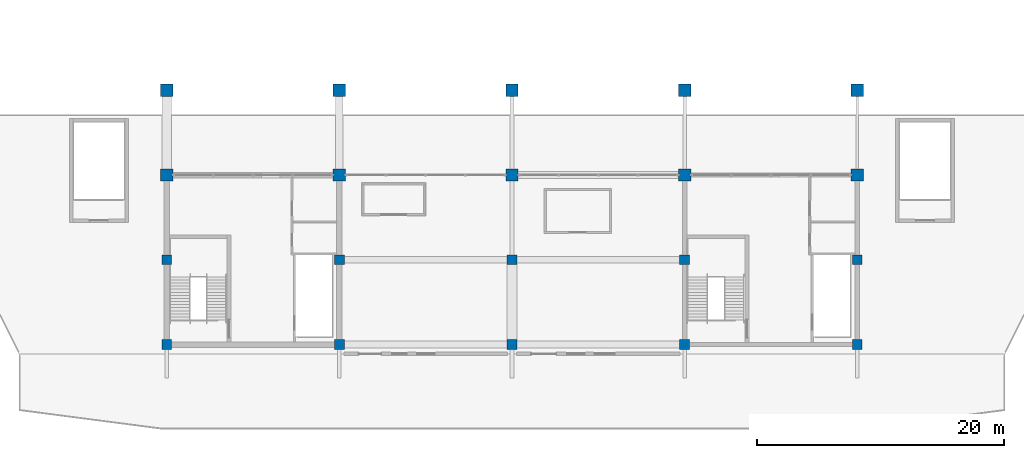
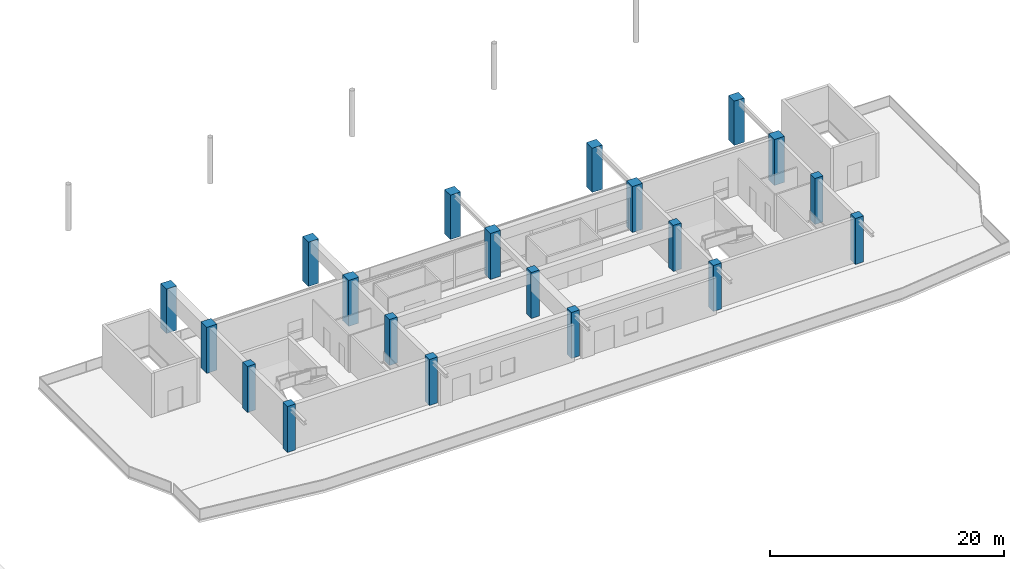
# One storey, part 3 of 91: 20 columns.
"""IFC4 building model written with IfcOpenShell, lengths in metres."""

import ifcopenshell
import ifcopenshell.guid

model = None  # the IFC model being written
_history = None  # IfcOwnerHistory: only IFC2X3 demands one
_inside = {}  # id of a spatial element -> (the spatial element, [elements in it])
_under = {}  # id of a project, library or spatial element -> (it, [spatial elements below it])
_declared = {}  # id of a project -> (the project, [libraries it declares])
_typed = {}  # id of a type object -> (the type object, [elements of that type])
_made_of = {}  # id of a material, layer set ... -> (it, [elements and type objects made of it])


def new_model(schema):
    """Start an empty IFC model of exactly this schema.

    Asked for "IFC4X3", IfcOpenShell would pick the latest addendum, in which some entities
    have other attributes; the version numbers below select the first issue.
    IFC2X3 requires an IfcOwnerHistory on every rooted entity: one is made here for all.
    """
    global model, _history
    if schema == "IFC4X3":
        model = ifcopenshell.file(schema_version=(4, 3, 0, 0))
    else:
        model = ifcopenshell.file(schema=schema)
    _inside.clear()
    _under.clear()
    _declared.clear()
    _typed.clear()
    _made_of.clear()
    _history = None
    if model.schema == "IFC2X3":
        org = make("IfcOrganization", Name="unknown")
        user = make(
            "IfcPersonAndOrganization",
            ThePerson=make("IfcPerson", FamilyName="unknown"),
            TheOrganization=org,
        )
        app = make(
            "IfcApplication",
            ApplicationDeveloper=org,
            Version="unknown",
            ApplicationFullName="unknown",
            ApplicationIdentifier="unknown",
        )
        _history = make(
            "IfcOwnerHistory",
            OwningUser=user,
            OwningApplication=app,
            ChangeAction="ADDED",
            CreationDate=0,
        )
    return model


def make(cls, **values):
    """One entity of the class cls with the attributes given. An attribute that is None is left unset."""
    return model.create_entity(
        cls, **{name: value for name, value in values.items() if value is not None}
    )


def rooted(cls, **values):
    """An entity with a GlobalId (a new one), such as an element, a storey or a relation."""
    return make(cls, GlobalId=ifcopenshell.guid.new(), OwnerHistory=_history, **values)


def si_unit(unit_type, name, prefix=None):
    """IfcSIUnit, for example si_unit("LENGTHUNIT", "METRE", prefix="MILLI")."""
    return make("IfcSIUnit", UnitType=unit_type, Prefix=prefix, Name=name)


def assignment(units):
    """IfcUnitAssignment: the units of a project."""
    return None if units is None else make("IfcUnitAssignment", Units=units)


def point(xyz):
    """IfcCartesianPoint."""
    return None if xyz is None else make("IfcCartesianPoint", Coordinates=xyz)


def direction(xyz):
    """IfcDirection."""
    return None if xyz is None else make("IfcDirection", DirectionRatios=xyz)


def frame(location, z_axis=None, x_axis=None):
    """IfcAxis2Placement3D, a coordinate frame: its origin and axes. An axis left out is left unset."""
    return make(
        "IfcAxis2Placement3D",
        Location=point(location),
        Axis=direction(z_axis),
        RefDirection=direction(x_axis),
    )


def frame_2d(location, x_axis=None):
    """IfcAxis2Placement2D, a coordinate frame in the plane: its origin and x axis."""
    return make(
        "IfcAxis2Placement2D", Location=point(location), RefDirection=direction(x_axis)
    )


def origin():
    """The frame at (0, 0, 0) with its axes left unset."""
    return frame((0.0, 0.0, 0.0))


def origin_2d():
    """The frame at (0, 0) in the plane with its x axis left unset."""
    return frame_2d((0.0, 0.0))


def place(relative_to, where):
    """IfcLocalPlacement: puts the frame where relative to a parent placement (None: the world)."""
    return make(
        "IfcLocalPlacement", PlacementRelTo=relative_to, RelativePlacement=where
    )


def context(
    kind, dimensions, precision=None, world=None, true_north=None, identifier=None
):
    """IfcGeometricRepresentationContext, for example the 3D "Model" context."""
    return make(
        "IfcGeometricRepresentationContext",
        ContextIdentifier=identifier,
        ContextType=kind,
        CoordinateSpaceDimension=dimensions,
        Precision=precision,
        WorldCoordinateSystem=world,
        TrueNorth=true_north,
    )


def subcontext(parent, identifier, kind, view, scale=None):
    """IfcGeometricRepresentationSubContext, for example "Body" below "Model"."""
    return make(
        "IfcGeometricRepresentationSubContext",
        ContextIdentifier=identifier,
        ContextType=kind,
        ParentContext=parent,
        TargetScale=scale,
        TargetView=view,
    )


def project(units=None, contexts=None):
    """IfcProject with its units and contexts."""
    return rooted(
        "IfcProject",
        Name="project",
        RepresentationContexts=contexts,
        UnitsInContext=assignment(units),
    )


def spatial(cls, under=None, at=None, **own):
    """A site, building, storey or space (cls), placed at a placement, below another one or the project."""
    s = rooted(cls, ObjectPlacement=at, **own)
    if under is not None:
        _under.setdefault(under.id(), (under, []))[1].append(s)
    return s


def profile(cls, at=None, kind="AREA", **sizes):
    """A parametric profile (cls). Its sizes go by their IFC names, for example OverallWidth=200.0."""
    return make(cls, ProfileType=kind, Position=at, **sizes)


def rectangle(**sizes):
    """IfcRectangleProfileDef."""
    return profile("IfcRectangleProfileDef", **sizes)


def extrude(swept, where, along, depth):
    """IfcExtrudedAreaSolid: the profile swept, set in the frame where, extruded along a direction by depth."""
    return make(
        "IfcExtrudedAreaSolid",
        SweptArea=swept,
        Position=where,
        ExtrudedDirection=direction(along),
        Depth=depth,
    )


def shape(context_of_items, identifier, shape_type, items):
    """IfcShapeRepresentation: the items that make up one representation, for example the "Body"."""
    return make(
        "IfcShapeRepresentation",
        ContextOfItems=context_of_items,
        RepresentationIdentifier=identifier,
        RepresentationType=shape_type,
        Items=items,
    )


def material(Name=None, Category=None):
    """IfcMaterial."""
    return make("IfcMaterial", Name=Name, Category=Category)


def material_profile(
    of_material, cross_section, Name=None, Category=None, Priority=None
):
    """IfcMaterialProfile: a cross section and its material."""
    return make(
        "IfcMaterialProfile",
        Name=Name,
        Material=of_material,
        Profile=cross_section,
        Priority=Priority,
        Category=Category,
    )


def profile_set(profiles, Name=None, composite=None):
    """IfcMaterialProfileSet."""
    return make(
        "IfcMaterialProfileSet",
        Name=Name,
        MaterialProfiles=profiles,
        CompositeProfile=composite,
    )


def made_of(thing, what):
    """Note that an element or type object is made of a material, layer set ...; save() writes the relation."""
    if what is not None:
        _made_of.setdefault(what.id(), (what, []))[1].append(thing)
    return thing


def type_object(cls, material=None, **own):
    """A type object (cls), such as IfcWallType, which elements share."""
    return made_of(rooted(cls, **own), material)


def element(
    cls,
    number,
    at=None,
    inside=None,
    cuts=None,
    type_object=None,
    material=None,
    context=None,
    identifier="Body",
    shape_type=None,
    held_by="IfcProductDefinitionShape",
    body=None,
    shapes=None,
    **own,
):
    """One element of the class cls, such as IfcWall. Its Tag is "e" and its number.

    at: its placement. inside: the storey or other place that contains it. cuts: it is an
    opening in that element (IfcRelVoidsElement). A single representation is given by context,
    identifier, shape_type and body (its items); several are given by shapes. held_by: the class
    of the entity that holds the representations. save() writes the other relations.
    """
    e = rooted(cls, Tag="e%d" % number, ObjectPlacement=at, **own)
    if body is not None:
        shapes = [shape(context, identifier, shape_type, body)]
    if shapes is not None:
        e.Representation = make(held_by, Representations=shapes)
    if inside is not None:
        _inside.setdefault(inside.id(), (inside, []))[1].append(e)
    if cuts is not None:
        rooted(
            "IfcRelVoidsElement", RelatingBuildingElement=cuts, RelatedOpeningElement=e
        )
    if type_object is not None:
        _typed.setdefault(type_object.id(), (type_object, []))[1].append(e)
    return made_of(e, material)


def aggregate(whole, parts):
    """IfcRelAggregates: a whole, such as a stair, and the parts it consists of."""
    return rooted("IfcRelAggregates", RelatingObject=whole, RelatedObjects=parts)


def save(model, path):
    """Write the relations noted so far, then the file.

    IfcRelAggregates (storeys below a building ...), IfcRelContainedInSpatialStructure (elements
    in a storey), IfcRelDefinesByType, IfcRelAssociatesMaterial and IfcRelDeclares: one each for
    every whole, place, type object, material and project.
    """
    for whole, parts in _under.values():
        aggregate(whole, parts)
    for where, things in _inside.values():
        rooted(
            "IfcRelContainedInSpatialStructure",
            RelatedElements=things,
            RelatingStructure=where,
        )
    for kind, things in _typed.values():
        rooted("IfcRelDefinesByType", RelatedObjects=things, RelatingType=kind)
    for what, things in _made_of.values():
        rooted("IfcRelAssociatesMaterial", RelatedObjects=things, RelatingMaterial=what)
    for by, libraries in _declared.values():
        rooted("IfcRelDeclares", RelatingContext=by, RelatedDefinitions=libraries)
    model.write(path)


model = new_model("IFC4")

# Units and contexts
model_context = context("Model", 3, precision=1e-05, world=origin(), true_north=direction((0.0, 1.0)))
body_context = subcontext(model_context, "Body", "Model", "MODEL_VIEW")
ifc_project = project(units=[si_unit("LENGTHUNIT", "METRE"), si_unit("AREAUNIT", "SQUARE_METRE"), si_unit("VOLUMEUNIT", "CUBIC_METRE"), si_unit("PLANEANGLEUNIT", "RADIAN"), si_unit("MASSUNIT", "GRAM", prefix="KILO")], contexts=[model_context])

# Site, building, storey
site_placement = place(None, origin())
site = spatial("IfcSite", under=ifc_project, at=site_placement, CompositionType="ELEMENT")
building_placement = place(site_placement, origin())
building = spatial("IfcBuilding", under=site, at=building_placement, Name="Linyun Crest Stadium", CompositionType="ELEMENT")
storey_placement = place(building_placement, frame((0.0, 0.0, 11.39990234375)))
storey = spatial("IfcBuildingStorey", under=building, at=storey_placement, Name="L03", CompositionType="ELEMENT", Elevation=11.39990234375)

# Columns
ifc_material_1 = material(Name="Concrete C50", Category="concrete")
ifc_material_profile_1 = material_profile(ifc_material_1, rectangle(XDim=0.800048828125, YDim=0.800048828125, at=origin_2d()), Name="RC 800x800")
ifc_profile_set_1 = profile_set([ifc_material_profile_1], Name="Concrete C50")
column_type_1 = type_object("IfcColumnType", Name="C03", PredefinedType="COLUMN", material=ifc_profile_set_1)
for number, where, z_axis, x_axis, name in (
    (1, (-28.0, -87.25, 0.0), (0.0, 0.0, 1.0), (1.0, 0.0, 0.0), "Column C03 L03 680"),
    (2, (-28.0, -80.375, 0.0), (0.0, 0.0, 1.0), (1.0, 0.0, 0.0), "Column C03 L03 685"),
    (3, (-14.0, -87.25, 0.0), (0.0, 0.0, 1.0), (1.0, 0.0, 0.0), "Column C03 L03 704"),
    (4, (-14.0, -80.375, 0.0), (0.0, 0.0, 1.0), (1.0, 0.0, 0.0), "Column C03 L03 709"),
    (5, (0.0, -87.25, 0.0), (0.0, 0.0, 1.0), (1.0, 0.0, 0.0), "Column C03 L03 728"),
    (6, (0.0, -80.375, 0.0), (0.0, 0.0, 1.0), (1.0, 0.0, 0.0), "Column C03 L03 733"),
    (7, (14.0, -87.25, 0.0), (0.0, 0.0, 1.0), (1.0, 0.0, 0.0), "Column C03 L03 752"),
    (8, (14.0, -80.375, 0.0), (0.0, 0.0, 1.0), (1.0, 0.0, 0.0), "Column C03 L03 757"),
    (9, (28.0, -87.25, 0.0), (0.0, 0.0, 1.0), (1.0, 0.0, 0.0), "Column C03 L03 776"),
    (10, (28.0, -80.375, 0.0), (0.0, 0.0, 1.0), (1.0, 0.0, 0.0), "Column C03 L03 781"),
):
    element("IfcColumn", number, at=place(storey_placement, frame(where, z_axis=z_axis, x_axis=x_axis)), inside=storey, type_object=column_type_1, Name=name, PredefinedType="COLUMN", context=body_context, shape_type="SweptSolid", body=[
        extrude(rectangle(XDim=0.800048828125, YDim=0.800048828125, at=origin_2d()), origin(), (0.0, 0.0, 1.0), 4.798095703125),
    ])
ifc_material_2 = material(Name="Concrete C50", Category="concrete")
ifc_material_profile_2 = material_profile(ifc_material_2, rectangle(XDim=1.0, YDim=1.0, at=origin_2d()), Name="RC 1000x1000")
ifc_profile_set_2 = profile_set([ifc_material_profile_2], Name="Concrete C50")
column_type_2 = type_object("IfcColumnType", Name="C05", PredefinedType="COLUMN", material=ifc_profile_set_2)
column_1_placement = place(storey_placement, frame((-28.0, -73.5, 0.0), z_axis=(0.0, 0.0, 1.0), x_axis=(1.0, 0.0, 0.0)))
element("IfcColumn", 11, at=column_1_placement, inside=storey, type_object=column_type_2, Name="Column C05 L03 690", PredefinedType="COLUMN", context=body_context, shape_type="SweptSolid", body=[
    extrude(rectangle(XDim=1.0, YDim=1.0, at=origin_2d()), origin(), (0.0, 0.0, 1.0), 4.798095703125),
])
column_2_placement = place(storey_placement, frame((-28.0, -66.625, 0.0), z_axis=(0.0, 0.0, 1.0), x_axis=(1.0, 0.0, 0.0)))
element("IfcColumn", 12, at=column_2_placement, inside=storey, type_object=column_type_2, Name="Column C05 L03 695", PredefinedType="COLUMN", context=body_context, shape_type="SweptSolid", body=[
    extrude(rectangle(XDim=1.0, YDim=1.0, at=origin_2d()), origin(), (0.0, 0.0, 1.0), 4.6201171875),
])
column_3_placement = place(storey_placement, frame((-14.0, -73.5, 0.0), z_axis=(0.0, 0.0, 1.0), x_axis=(1.0, 0.0, 0.0)))
element("IfcColumn", 13, at=column_3_placement, inside=storey, type_object=column_type_2, Name="Column C05 L03 714", PredefinedType="COLUMN", context=body_context, shape_type="SweptSolid", body=[
    extrude(rectangle(XDim=1.0, YDim=1.0, at=origin_2d()), origin(), (0.0, 0.0, 1.0), 4.798095703125),
])
column_4_placement = place(storey_placement, frame((-14.0, -66.625, 0.0), z_axis=(0.0, 0.0, 1.0), x_axis=(1.0, 0.0, 0.0)))
element("IfcColumn", 14, at=column_4_placement, inside=storey, type_object=column_type_2, Name="Column C05 L03 719", PredefinedType="COLUMN", context=body_context, shape_type="SweptSolid", body=[
    extrude(rectangle(XDim=1.0, YDim=1.0, at=origin_2d()), origin(), (0.0, 0.0, 1.0), 4.6201171875),
])
column_5_placement = place(storey_placement, frame((0.0, -73.5, 0.0), z_axis=(0.0, 0.0, 1.0), x_axis=(1.0, 0.0, 0.0)))
element("IfcColumn", 15, at=column_5_placement, inside=storey, type_object=column_type_2, Name="Column C05 L03 738", PredefinedType="COLUMN", context=body_context, shape_type="SweptSolid", body=[
    extrude(rectangle(XDim=1.0, YDim=1.0, at=origin_2d()), origin(), (0.0, 0.0, 1.0), 4.798095703125),
])
column_6_placement = place(storey_placement, frame((0.0, -66.625, 0.0), z_axis=(0.0, 0.0, 1.0), x_axis=(1.0, 0.0, 0.0)))
element("IfcColumn", 16, at=column_6_placement, inside=storey, type_object=column_type_2, Name="Column C05 L03 743", PredefinedType="COLUMN", context=body_context, shape_type="SweptSolid", body=[
    extrude(rectangle(XDim=1.0, YDim=1.0, at=origin_2d()), origin(), (0.0, 0.0, 1.0), 4.6201171875),
])
column_7_placement = place(storey_placement, frame((14.0, -73.5, 0.0), z_axis=(0.0, 0.0, 1.0), x_axis=(1.0, 0.0, 0.0)))
element("IfcColumn", 17, at=column_7_placement, inside=storey, type_object=column_type_2, Name="Column C05 L03 762", PredefinedType="COLUMN", context=body_context, shape_type="SweptSolid", body=[
    extrude(rectangle(XDim=1.0, YDim=1.0, at=origin_2d()), origin(), (0.0, 0.0, 1.0), 4.798095703125),
])
column_8_placement = place(storey_placement, frame((14.0, -66.625, 0.0), z_axis=(0.0, 0.0, 1.0), x_axis=(1.0, 0.0, 0.0)))
element("IfcColumn", 18, at=column_8_placement, inside=storey, type_object=column_type_2, Name="Column C05 L03 767", PredefinedType="COLUMN", context=body_context, shape_type="SweptSolid", body=[
    extrude(rectangle(XDim=1.0, YDim=1.0, at=origin_2d()), origin(), (0.0, 0.0, 1.0), 4.6201171875),
])
column_9_placement = place(storey_placement, frame((28.0, -73.5, 0.0), z_axis=(0.0, 0.0, 1.0), x_axis=(1.0, 0.0, 0.0)))
element("IfcColumn", 19, at=column_9_placement, inside=storey, type_object=column_type_2, Name="Column C05 L03 786", PredefinedType="COLUMN", context=body_context, shape_type="SweptSolid", body=[
    extrude(rectangle(XDim=1.0, YDim=1.0, at=origin_2d()), origin(), (0.0, 0.0, 1.0), 4.798095703125),
])
column_10_placement = place(storey_placement, frame((28.0, -66.625, 0.0), z_axis=(0.0, 0.0, 1.0), x_axis=(1.0, 0.0, 0.0)))
element("IfcColumn", 20, at=column_10_placement, inside=storey, type_object=column_type_2, Name="Column C05 L03 791", PredefinedType="COLUMN", context=body_context, shape_type="SweptSolid", body=[
    extrude(rectangle(XDim=1.0, YDim=1.0, at=origin_2d()), origin(), (0.0, 0.0, 1.0), 4.6201171875),
])

save(model, "model.ifc")
